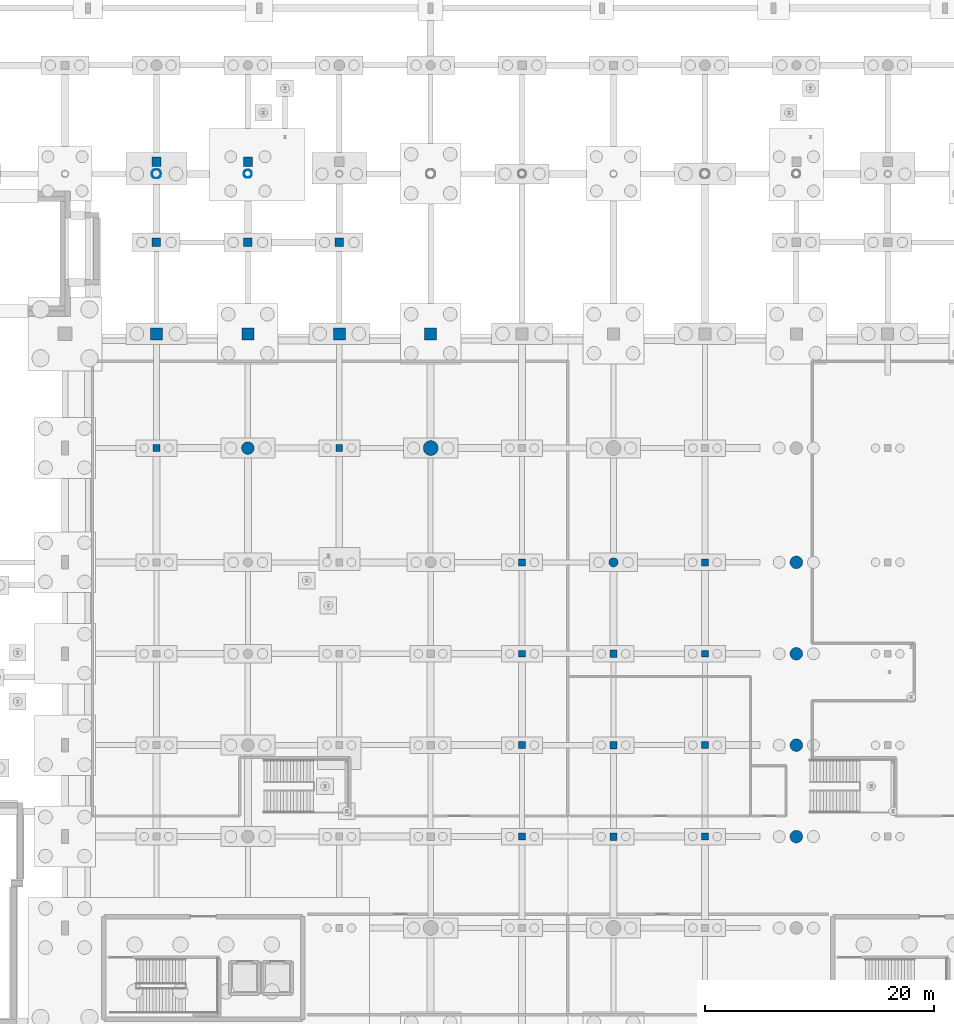
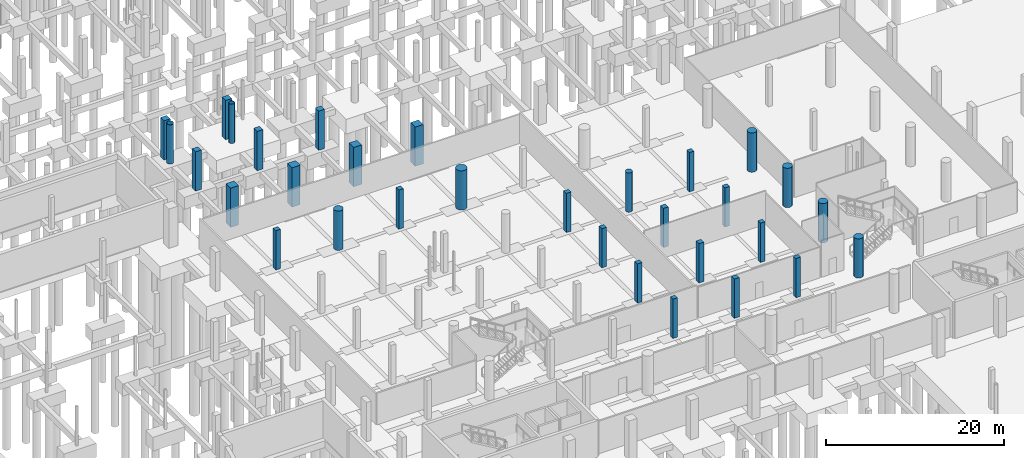
# One storey, part 30 of 65: 31 columns.
"""IFC4 building model written with IfcOpenShell, lengths in metres."""

import ifcopenshell
import ifcopenshell.guid

model = None  # the IFC model being written
_history = None  # IfcOwnerHistory: only IFC2X3 demands one
_inside = {}  # id of a spatial element -> (the spatial element, [elements in it])
_under = {}  # id of a project, library or spatial element -> (it, [spatial elements below it])
_declared = {}  # id of a project -> (the project, [libraries it declares])
_typed = {}  # id of a type object -> (the type object, [elements of that type])
_made_of = {}  # id of a material, layer set ... -> (it, [elements and type objects made of it])


def new_model(schema):
    """Start an empty IFC model of exactly this schema.

    Asked for "IFC4X3", IfcOpenShell would pick the latest addendum, in which some entities
    have other attributes; the version numbers below select the first issue.
    IFC2X3 requires an IfcOwnerHistory on every rooted entity: one is made here for all.
    """
    global model, _history
    if schema == "IFC4X3":
        model = ifcopenshell.file(schema_version=(4, 3, 0, 0))
    else:
        model = ifcopenshell.file(schema=schema)
    _inside.clear()
    _under.clear()
    _declared.clear()
    _typed.clear()
    _made_of.clear()
    _history = None
    if model.schema == "IFC2X3":
        org = make("IfcOrganization", Name="unknown")
        user = make(
            "IfcPersonAndOrganization",
            ThePerson=make("IfcPerson", FamilyName="unknown"),
            TheOrganization=org,
        )
        app = make(
            "IfcApplication",
            ApplicationDeveloper=org,
            Version="unknown",
            ApplicationFullName="unknown",
            ApplicationIdentifier="unknown",
        )
        _history = make(
            "IfcOwnerHistory",
            OwningUser=user,
            OwningApplication=app,
            ChangeAction="ADDED",
            CreationDate=0,
        )
    return model


def make(cls, **values):
    """One entity of the class cls with the attributes given. An attribute that is None is left unset."""
    return model.create_entity(
        cls, **{name: value for name, value in values.items() if value is not None}
    )


def rooted(cls, **values):
    """An entity with a GlobalId (a new one), such as an element, a storey or a relation."""
    return make(cls, GlobalId=ifcopenshell.guid.new(), OwnerHistory=_history, **values)


def si_unit(unit_type, name, prefix=None):
    """IfcSIUnit, for example si_unit("LENGTHUNIT", "METRE", prefix="MILLI")."""
    return make("IfcSIUnit", UnitType=unit_type, Prefix=prefix, Name=name)


def assignment(units):
    """IfcUnitAssignment: the units of a project."""
    return None if units is None else make("IfcUnitAssignment", Units=units)


def point(xyz):
    """IfcCartesianPoint."""
    return None if xyz is None else make("IfcCartesianPoint", Coordinates=xyz)


def direction(xyz):
    """IfcDirection."""
    return None if xyz is None else make("IfcDirection", DirectionRatios=xyz)


def frame(location, z_axis=None, x_axis=None):
    """IfcAxis2Placement3D, a coordinate frame: its origin and axes. An axis left out is left unset."""
    return make(
        "IfcAxis2Placement3D",
        Location=point(location),
        Axis=direction(z_axis),
        RefDirection=direction(x_axis),
    )


def frame_2d(location, x_axis=None):
    """IfcAxis2Placement2D, a coordinate frame in the plane: its origin and x axis."""
    return make(
        "IfcAxis2Placement2D", Location=point(location), RefDirection=direction(x_axis)
    )


def origin():
    """The frame at (0, 0, 0) with its axes left unset."""
    return frame((0.0, 0.0, 0.0))


def origin_2d():
    """The frame at (0, 0) in the plane with its x axis left unset."""
    return frame_2d((0.0, 0.0))


def place(relative_to, where):
    """IfcLocalPlacement: puts the frame where relative to a parent placement (None: the world)."""
    return make(
        "IfcLocalPlacement", PlacementRelTo=relative_to, RelativePlacement=where
    )


def context(
    kind, dimensions, precision=None, world=None, true_north=None, identifier=None
):
    """IfcGeometricRepresentationContext, for example the 3D "Model" context."""
    return make(
        "IfcGeometricRepresentationContext",
        ContextIdentifier=identifier,
        ContextType=kind,
        CoordinateSpaceDimension=dimensions,
        Precision=precision,
        WorldCoordinateSystem=world,
        TrueNorth=true_north,
    )


def subcontext(parent, identifier, kind, view, scale=None):
    """IfcGeometricRepresentationSubContext, for example "Body" below "Model"."""
    return make(
        "IfcGeometricRepresentationSubContext",
        ContextIdentifier=identifier,
        ContextType=kind,
        ParentContext=parent,
        TargetScale=scale,
        TargetView=view,
    )


def project(units=None, contexts=None):
    """IfcProject with its units and contexts."""
    return rooted(
        "IfcProject",
        Name="project",
        RepresentationContexts=contexts,
        UnitsInContext=assignment(units),
    )


def spatial(cls, under=None, at=None, **own):
    """A site, building, storey or space (cls), placed at a placement, below another one or the project."""
    s = rooted(cls, ObjectPlacement=at, **own)
    if under is not None:
        _under.setdefault(under.id(), (under, []))[1].append(s)
    return s


def profile(cls, at=None, kind="AREA", **sizes):
    """A parametric profile (cls). Its sizes go by their IFC names, for example OverallWidth=200.0."""
    return make(cls, ProfileType=kind, Position=at, **sizes)


def rectangle(**sizes):
    """IfcRectangleProfileDef."""
    return profile("IfcRectangleProfileDef", **sizes)


def circle(**sizes):
    """IfcCircleProfileDef."""
    return profile("IfcCircleProfileDef", **sizes)


def hollow_circle(**sizes):
    """IfcCircleHollowProfileDef."""
    return profile("IfcCircleHollowProfileDef", **sizes)


def extrude(swept, where, along, depth):
    """IfcExtrudedAreaSolid: the profile swept, set in the frame where, extruded along a direction by depth."""
    return make(
        "IfcExtrudedAreaSolid",
        SweptArea=swept,
        Position=where,
        ExtrudedDirection=direction(along),
        Depth=depth,
    )


def shape(context_of_items, identifier, shape_type, items):
    """IfcShapeRepresentation: the items that make up one representation, for example the "Body"."""
    return make(
        "IfcShapeRepresentation",
        ContextOfItems=context_of_items,
        RepresentationIdentifier=identifier,
        RepresentationType=shape_type,
        Items=items,
    )


def material(Name=None, Category=None):
    """IfcMaterial."""
    return make("IfcMaterial", Name=Name, Category=Category)


def material_profile(
    of_material, cross_section, Name=None, Category=None, Priority=None
):
    """IfcMaterialProfile: a cross section and its material."""
    return make(
        "IfcMaterialProfile",
        Name=Name,
        Material=of_material,
        Profile=cross_section,
        Priority=Priority,
        Category=Category,
    )


def profile_set(profiles, Name=None, composite=None):
    """IfcMaterialProfileSet."""
    return make(
        "IfcMaterialProfileSet",
        Name=Name,
        MaterialProfiles=profiles,
        CompositeProfile=composite,
    )


def made_of(thing, what):
    """Note that an element or type object is made of a material, layer set ...; save() writes the relation."""
    if what is not None:
        _made_of.setdefault(what.id(), (what, []))[1].append(thing)
    return thing


def type_object(cls, material=None, **own):
    """A type object (cls), such as IfcWallType, which elements share."""
    return made_of(rooted(cls, **own), material)


def element(
    cls,
    number,
    at=None,
    inside=None,
    cuts=None,
    type_object=None,
    material=None,
    context=None,
    identifier="Body",
    shape_type=None,
    held_by="IfcProductDefinitionShape",
    body=None,
    shapes=None,
    **own,
):
    """One element of the class cls, such as IfcWall. Its Tag is "e" and its number.

    at: its placement. inside: the storey or other place that contains it. cuts: it is an
    opening in that element (IfcRelVoidsElement). A single representation is given by context,
    identifier, shape_type and body (its items); several are given by shapes. held_by: the class
    of the entity that holds the representations. save() writes the other relations.
    """
    e = rooted(cls, Tag="e%d" % number, ObjectPlacement=at, **own)
    if body is not None:
        shapes = [shape(context, identifier, shape_type, body)]
    if shapes is not None:
        e.Representation = make(held_by, Representations=shapes)
    if inside is not None:
        _inside.setdefault(inside.id(), (inside, []))[1].append(e)
    if cuts is not None:
        rooted(
            "IfcRelVoidsElement", RelatingBuildingElement=cuts, RelatedOpeningElement=e
        )
    if type_object is not None:
        _typed.setdefault(type_object.id(), (type_object, []))[1].append(e)
    return made_of(e, material)


def aggregate(whole, parts):
    """IfcRelAggregates: a whole, such as a stair, and the parts it consists of."""
    return rooted("IfcRelAggregates", RelatingObject=whole, RelatedObjects=parts)


def save(model, path):
    """Write the relations noted so far, then the file.

    IfcRelAggregates (storeys below a building ...), IfcRelContainedInSpatialStructure (elements
    in a storey), IfcRelDefinesByType, IfcRelAssociatesMaterial and IfcRelDeclares: one each for
    every whole, place, type object, material and project.
    """
    for whole, parts in _under.values():
        aggregate(whole, parts)
    for where, things in _inside.values():
        rooted(
            "IfcRelContainedInSpatialStructure",
            RelatedElements=things,
            RelatingStructure=where,
        )
    for kind, things in _typed.values():
        rooted("IfcRelDefinesByType", RelatedObjects=things, RelatingType=kind)
    for what, things in _made_of.values():
        rooted("IfcRelAssociatesMaterial", RelatedObjects=things, RelatingMaterial=what)
    for by, libraries in _declared.values():
        rooted("IfcRelDeclares", RelatingContext=by, RelatedDefinitions=libraries)
    model.write(path)


model = new_model("IFC4")

# Units and contexts
model_context = context("Model", 3, precision=1e-05, world=origin(), true_north=direction((0.0, 1.0)))
body_context = subcontext(model_context, "Body", "Model", "MODEL_VIEW")
ifc_project = project(units=[si_unit("LENGTHUNIT", "METRE"), si_unit("AREAUNIT", "SQUARE_METRE"), si_unit("VOLUMEUNIT", "CUBIC_METRE"), si_unit("PLANEANGLEUNIT", "RADIAN"), si_unit("MASSUNIT", "GRAM", prefix="KILO")], contexts=[model_context])

# Site, building, storey
site_placement = place(None, origin())
site = spatial("IfcSite", under=ifc_project, at=site_placement, CompositionType="ELEMENT")
building_placement = place(site_placement, origin())
building = spatial("IfcBuilding", under=site, at=building_placement, Name="Khorjan Park Terminus", CompositionType="ELEMENT")
storey_placement = place(building_placement, frame((0.0, 0.0, -5.4)))
storey = spatial("IfcBuildingStorey", under=building, at=storey_placement, Name="B1", CompositionType="ELEMENT", Elevation=-5.4)

# Columns
ifc_material_1 = material(Name="Concrete C50/60", Category="concrete")
ifc_material_profile_1 = material_profile(ifc_material_1, rectangle(XDim=1.05, YDim=1.05, at=origin_2d()), Name="RC 1050x1050")
ifc_profile_set_1 = profile_set([ifc_material_profile_1], Name="Concrete C50/60")
column_type_1 = type_object("IfcColumnType", Name="COL-RC1050", PredefinedType="COLUMN", material=ifc_profile_set_1)
for number, where, z_axis, x_axis, name in (
    (1, (56.0, 88.0, 0.0), (0.0, 0.0, 1.0), (1.0, 0.0, 0.0), "Structural column C-RC105 (B1 #280)"),
    (2, (64.0, 88.0, 0.0), (0.0, 0.0, 1.0), (1.0, 0.0, 0.0), "Structural column C-RC105 (B1 #303)"),
    (3, (72.0, 88.0, 0.0), (0.0, 0.0, 1.0), (1.0, 0.0, 0.0), "Structural column C-RC105 (B1 #319)"),
    (4, (80.0, 88.0, 0.0), (0.0, 0.0, 1.0), (1.0, 0.0, 0.0), "Structural column C-RC105 (B1 #340)"),
):
    element("IfcColumn", number, at=place(storey_placement, frame(where, z_axis=z_axis, x_axis=x_axis)), inside=storey, type_object=column_type_1, Name=name, PredefinedType="COLUMN", context=body_context, shape_type="SweptSolid", body=[
        extrude(rectangle(XDim=1.05, YDim=1.05, at=origin_2d()), origin(), (0.0, 0.0, 1.0), 5.4),
    ])
ifc_material_2 = material(Name="Concrete C40/50", Category="concrete")
ifc_material_profile_2 = material_profile(ifc_material_2, rectangle(XDim=0.6, YDim=0.6, at=origin_2d()), Name="RC 600x600")
ifc_profile_set_2 = profile_set([ifc_material_profile_2], Name="Concrete C40/50")
column_type_2 = type_object("IfcColumnType", Name="COL-RC600", PredefinedType="COLUMN", material=ifc_profile_set_2)
for number, where, z_axis, x_axis, name in (
    (5, (56.0, 78.0, 0.0), (0.0, 0.0, 1.0), (1.0, 0.0, 0.0), "Structural column C-RC06 (B1 #279)"),
    (6, (72.0, 78.0, 0.0), (0.0, 0.0, 1.0), (1.0, 0.0, 0.0), "Structural column C-RC06 (B1 #318)"),
    (7, (88.0, 44.0, 0.0), (0.0, 0.0, 1.0), (1.0, 0.0, 0.0), "Structural column C-RC06 (B1 #351)"),
    (8, (88.0, 52.0, 0.0), (0.0, 0.0, 1.0), (1.0, 0.0, 0.0), "Structural column C-RC06 (B1 #352)"),
    (9, (88.0, 60.0, 0.0), (0.0, 0.0, 1.0), (1.0, 0.0, 0.0), "Structural column C-RC06 (B1 #353)"),
    (10, (88.0, 68.0, 0.0), (0.0, 0.0, 1.0), (1.0, 0.0, 0.0), "Structural column C-RC06 (B1 #354)"),
    (11, (104.0, 44.0, 0.0), (0.0, 0.0, 1.0), (1.0, 0.0, 0.0), "Structural column C-RC06 (B1 #388)"),
    (12, (104.0, 52.0, 0.0), (0.0, 0.0, 1.0), (1.0, 0.0, 0.0), "Structural column C-RC06 (B1 #389)"),
    (13, (104.0, 60.0, 0.0), (0.0, 0.0, 1.0), (1.0, 0.0, 0.0), "Structural column C-RC06 (B1 #390)"),
    (14, (104.0, 68.0, 0.0), (0.0, 0.0, 1.0), (1.0, 0.0, 0.0), "Structural column C-RC06 (B1 #391)"),
):
    element("IfcColumn", number, at=place(storey_placement, frame(where, z_axis=z_axis, x_axis=x_axis)), inside=storey, type_object=column_type_2, Name=name, PredefinedType="COLUMN", context=body_context, shape_type="SweptSolid", body=[
        extrude(rectangle(XDim=0.6, YDim=0.6, at=origin_2d()), origin(), (0.0, 0.0, 1.0), 5.4),
    ])
ifc_material_profile_3 = material_profile(ifc_material_2, rectangle(XDim=0.65, YDim=0.65, at=origin_2d()), Name="RC 650x650")
ifc_profile_set_3 = profile_set([ifc_material_profile_3], Name="Concrete C40/50")
column_type_3 = type_object("IfcColumnType", Name="COL-RC650", PredefinedType="COLUMN", material=ifc_profile_set_3)
for number, where, z_axis, x_axis, name in (
    (15, (96.0, 44.0, 0.0), (0.0, 0.0, 1.0), (1.0, 0.0, 0.0), "Structural column C-RC65 (B1 #369)"),
    (16, (96.0, 52.0, 0.0), (0.0, 0.0, 1.0), (1.0, 0.0, 0.0), "Structural column C-RC65 (B1 #370)"),
    (17, (96.0, 60.0, 0.0), (0.0, 0.0, 1.0), (1.0, 0.0, 0.0), "Structural column C-RC65 (B1 #371)"),
):
    element("IfcColumn", number, at=place(storey_placement, frame(where, z_axis=z_axis, x_axis=x_axis)), inside=storey, type_object=column_type_3, Name=name, PredefinedType="COLUMN", context=body_context, shape_type="SweptSolid", body=[
        extrude(rectangle(XDim=0.65, YDim=0.65, at=origin_2d()), origin(), (0.0, 0.0, 1.0), 5.4),
    ])
ifc_material_profile_4 = material_profile(ifc_material_2, rectangle(XDim=0.75, YDim=0.75, at=origin_2d()), Name="RC 750x750")
ifc_profile_set_4 = profile_set([ifc_material_profile_4], Name="Concrete C40/50")
column_type_4 = type_object("IfcColumnType", Name="COL-RC750", PredefinedType="COLUMN", material=ifc_profile_set_4)
for number, where, z_axis, x_axis, name in (
    (18, (56.0, 96.0, 0.0), (0.0, 0.0, 1.0), (1.0, 0.0, 0.0), "Structural column C-RC75 (B1 #506)"),
    (19, (64.0, 96.0, 0.0), (0.0, 0.0, 1.0), (1.0, 0.0, 0.0), "Structural column C-RC75 (B1 #510)"),
    (20, (72.0, 96.0, 0.0), (0.0, 0.0, 1.0), (1.0, 0.0, 0.0), "Structural column C-RC75 (B1 #514)"),
):
    element("IfcColumn", number, at=place(storey_placement, frame(where, z_axis=z_axis, x_axis=x_axis)), inside=storey, type_object=column_type_4, Name=name, PredefinedType="COLUMN", context=body_context, shape_type="SweptSolid", body=[
        extrude(rectangle(XDim=0.75, YDim=0.75, at=origin_2d()), origin(), (0.0, 0.0, 1.0), 5.4),
    ])
ifc_material_profile_5 = material_profile(ifc_material_2, rectangle(XDim=0.8, YDim=0.8, at=origin_2d()), Name="RC 800x800")
ifc_profile_set_5 = profile_set([ifc_material_profile_5], Name="Concrete C40/50")
column_type_5 = type_object("IfcColumnType", Name="COL-RC800", PredefinedType="COLUMN", material=ifc_profile_set_5)
for number, where, z_axis, x_axis, name in (
    (21, (56.0, 103.06, 0.0), (0.0, 0.0, 1.0), (1.0, 0.0, 0.0), "Structural column C-RC08 (B1 #508)"),
    (22, (64.0, 103.06, 0.0), (0.0, 0.0, 1.0), (1.0, 0.0, 0.0), "Structural column C-RC08 (B1 #512)"),
):
    element("IfcColumn", number, at=place(storey_placement, frame(where, z_axis=z_axis, x_axis=x_axis)), inside=storey, type_object=column_type_5, Name=name, PredefinedType="COLUMN", context=body_context, shape_type="SweptSolid", body=[
        extrude(rectangle(XDim=0.8, YDim=0.8, at=origin_2d()), origin(), (0.0, 0.0, 1.0), 5.4),
    ])
ifc_material_profile_6 = material_profile(ifc_material_1, circle(Radius=0.55, at=origin_2d()), Name="RC D1100")
ifc_profile_set_6 = profile_set([ifc_material_profile_6], Name="Concrete C50/60")
column_type_6 = type_object("IfcColumnType", Name="COL-RD1100", PredefinedType="COLUMN", material=ifc_profile_set_6)
for number, where, z_axis, x_axis, name in (
    (23, (64.0, 78.0, 0.0), (0.0, 0.0, 1.0), (1.0, 0.0, 0.0), "Structural column C-RD11 (B1 #300)"),
    (24, (112.0, 44.0, 0.0), (0.0, 0.0, 1.0), (1.0, 0.0, 0.0), "Structural column C-RD11 (B1 #406)"),
    (25, (112.0, 52.0, 0.0), (0.0, 0.0, 1.0), (1.0, 0.0, 0.0), "Structural column C-RD11 (B1 #409)"),
    (26, (112.0, 60.0, 0.0), (0.0, 0.0, 1.0), (1.0, 0.0, 0.0), "Structural column C-RD11 (B1 #412)"),
    (27, (112.0, 68.0, 0.0), (0.0, 0.0, 1.0), (1.0, 0.0, 0.0), "Structural column C-RD11 (B1 #415)"),
):
    element("IfcColumn", number, at=place(storey_placement, frame(where, z_axis=z_axis, x_axis=x_axis)), inside=storey, type_object=column_type_6, Name=name, PredefinedType="COLUMN", context=body_context, shape_type="SweptSolid", body=[
        extrude(circle(Radius=0.55, at=origin_2d()), origin(), (0.0, 0.0, 1.0), 5.4),
    ])
ifc_material_profile_7 = material_profile(ifc_material_1, circle(Radius=0.65, at=origin_2d()), Name="RC D1300")
ifc_profile_set_7 = profile_set([ifc_material_profile_7], Name="Concrete C50/60")
column_type_7 = type_object("IfcColumnType", Name="COL-RD1300", PredefinedType="COLUMN", material=ifc_profile_set_7)
column_1_placement = place(storey_placement, frame((80.0, 78.0, 0.0), z_axis=(0.0, 0.0, 1.0), x_axis=(1.0, 0.0, 0.0)))
element("IfcColumn", 28, at=column_1_placement, inside=storey, type_object=column_type_7, Name="Structural column C-RD13 (B1 #337)", PredefinedType="COLUMN", context=body_context, shape_type="SweptSolid", body=[
    extrude(circle(Radius=0.65, at=origin_2d()), origin(), (0.0, 0.0, 1.0), 5.4),
])
ifc_material_profile_8 = material_profile(ifc_material_2, circle(Radius=0.4, at=origin_2d()), Name="RC D800")
ifc_profile_set_8 = profile_set([ifc_material_profile_8], Name="Concrete C40/50")
column_type_8 = type_object("IfcColumnType", Name="COL-RD800", PredefinedType="COLUMN", material=ifc_profile_set_8)
column_2_placement = place(storey_placement, frame((96.0, 68.0, 0.0), z_axis=(0.0, 0.0, 1.0), x_axis=(1.0, 0.0, 0.0)))
element("IfcColumn", 29, at=column_2_placement, inside=storey, type_object=column_type_8, Name="Structural column C-RD80 (B1 #372)", PredefinedType="COLUMN", context=body_context, shape_type="SweptSolid", body=[
    extrude(circle(Radius=0.4, at=origin_2d()), origin(), (0.0, 0.0, 1.0), 5.4),
])
ifc_material_3 = material(Name="Steel S355", Category="steel")
ifc_material_profile_9 = material_profile(ifc_material_3, hollow_circle(Radius=0.3555, WallThickness=0.025, at=origin_2d()), Name="CHS 711x25")
ifc_profile_set_9 = profile_set([ifc_material_profile_9], Name="Steel S355")
column_type_9 = type_object("IfcColumnType", Name="COL-SH711E", PredefinedType="COLUMN", material=ifc_profile_set_9)
column_3_placement = place(storey_placement, frame((64.0, 102.0, 0.0), z_axis=(0.0, 0.0, 1.0), x_axis=(1.0, 0.0, 0.0)))
element("IfcColumn", 30, at=column_3_placement, inside=storey, type_object=column_type_9, Name="Structural column SC-71 (B1 #87)", PredefinedType="COLUMN", context=body_context, shape_type="SweptSolid", body=[
    extrude(hollow_circle(Radius=0.3555, WallThickness=0.025, at=origin_2d()), origin(), (0.0, 0.0, 1.0), 5.4),
])
ifc_material_profile_10 = material_profile(ifc_material_3, hollow_circle(Radius=0.4065, WallThickness=0.025, at=origin_2d()), Name="CHS 813x25")
ifc_profile_set_10 = profile_set([ifc_material_profile_10], Name="Steel S355")
column_type_10 = type_object("IfcColumnType", Name="COL-SH813E", PredefinedType="COLUMN", material=ifc_profile_set_10)
column_4_placement = place(storey_placement, frame((56.0, 102.0, 0.0), z_axis=(0.0, 0.0, 1.0), x_axis=(1.0, 0.0, 0.0)))
element("IfcColumn", 31, at=column_4_placement, inside=storey, type_object=column_type_10, Name="Structural column SC-81 (B1 #73)", PredefinedType="COLUMN", context=body_context, shape_type="SweptSolid", body=[
    extrude(hollow_circle(Radius=0.4065, WallThickness=0.025, at=origin_2d()), origin(), (0.0, 0.0, 1.0), 5.4),
])

save(model, "model.ifc")
